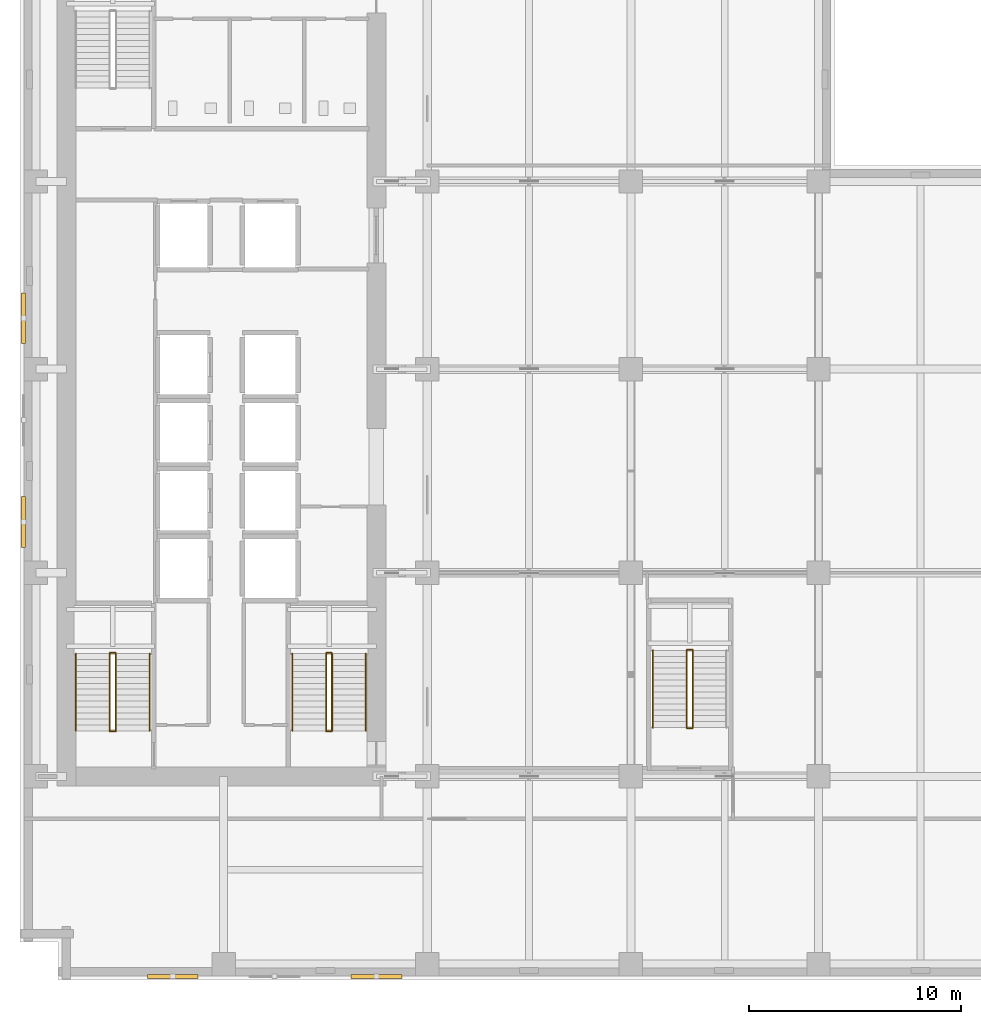
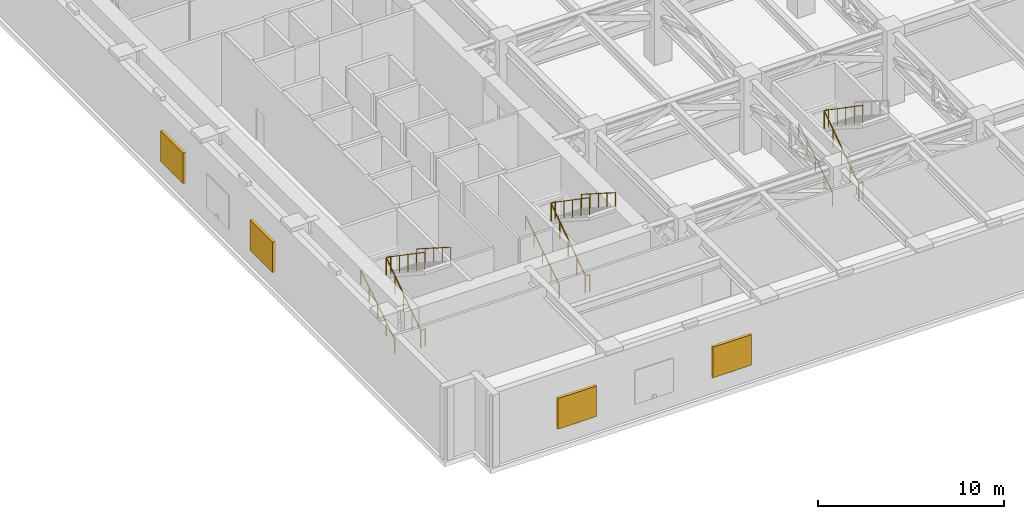
# One storey, part 19 of 22: 17 railings, 4 shading devices.
"""IFC4 building model written with IfcOpenShell, lengths in metres."""

import ifcopenshell
import ifcopenshell.guid

model = None  # the IFC model being written
_history = None  # IfcOwnerHistory: only IFC2X3 demands one
_inside = {}  # id of a spatial element -> (the spatial element, [elements in it])
_under = {}  # id of a project, library or spatial element -> (it, [spatial elements below it])
_declared = {}  # id of a project -> (the project, [libraries it declares])
_typed = {}  # id of a type object -> (the type object, [elements of that type])
_made_of = {}  # id of a material, layer set ... -> (it, [elements and type objects made of it])


def new_model(schema):
    """Start an empty IFC model of exactly this schema.

    Asked for "IFC4X3", IfcOpenShell would pick the latest addendum, in which some entities
    have other attributes; the version numbers below select the first issue.
    IFC2X3 requires an IfcOwnerHistory on every rooted entity: one is made here for all.
    """
    global model, _history
    if schema == "IFC4X3":
        model = ifcopenshell.file(schema_version=(4, 3, 0, 0))
    else:
        model = ifcopenshell.file(schema=schema)
    _inside.clear()
    _under.clear()
    _declared.clear()
    _typed.clear()
    _made_of.clear()
    _history = None
    if model.schema == "IFC2X3":
        org = make("IfcOrganization", Name="unknown")
        user = make(
            "IfcPersonAndOrganization",
            ThePerson=make("IfcPerson", FamilyName="unknown"),
            TheOrganization=org,
        )
        app = make(
            "IfcApplication",
            ApplicationDeveloper=org,
            Version="unknown",
            ApplicationFullName="unknown",
            ApplicationIdentifier="unknown",
        )
        _history = make(
            "IfcOwnerHistory",
            OwningUser=user,
            OwningApplication=app,
            ChangeAction="ADDED",
            CreationDate=0,
        )
    return model


def make(cls, **values):
    """One entity of the class cls with the attributes given. An attribute that is None is left unset."""
    return model.create_entity(
        cls, **{name: value for name, value in values.items() if value is not None}
    )


def rooted(cls, **values):
    """An entity with a GlobalId (a new one), such as an element, a storey or a relation."""
    return make(cls, GlobalId=ifcopenshell.guid.new(), OwnerHistory=_history, **values)


def si_unit(unit_type, name, prefix=None):
    """IfcSIUnit, for example si_unit("LENGTHUNIT", "METRE", prefix="MILLI")."""
    return make("IfcSIUnit", UnitType=unit_type, Prefix=prefix, Name=name)


def assignment(units):
    """IfcUnitAssignment: the units of a project."""
    return None if units is None else make("IfcUnitAssignment", Units=units)


def point(xyz):
    """IfcCartesianPoint."""
    return None if xyz is None else make("IfcCartesianPoint", Coordinates=xyz)


def direction(xyz):
    """IfcDirection."""
    return None if xyz is None else make("IfcDirection", DirectionRatios=xyz)


def frame(location, z_axis=None, x_axis=None):
    """IfcAxis2Placement3D, a coordinate frame: its origin and axes. An axis left out is left unset."""
    return make(
        "IfcAxis2Placement3D",
        Location=point(location),
        Axis=direction(z_axis),
        RefDirection=direction(x_axis),
    )


def frame_2d(location, x_axis=None):
    """IfcAxis2Placement2D, a coordinate frame in the plane: its origin and x axis."""
    return make(
        "IfcAxis2Placement2D", Location=point(location), RefDirection=direction(x_axis)
    )


def origin():
    """The frame at (0, 0, 0) with its axes left unset."""
    return frame((0.0, 0.0, 0.0))


def origin_2d():
    """The frame at (0, 0) in the plane with its x axis left unset."""
    return frame_2d((0.0, 0.0))


def place(relative_to, where):
    """IfcLocalPlacement: puts the frame where relative to a parent placement (None: the world)."""
    return make(
        "IfcLocalPlacement", PlacementRelTo=relative_to, RelativePlacement=where
    )


def context(
    kind, dimensions, precision=None, world=None, true_north=None, identifier=None
):
    """IfcGeometricRepresentationContext, for example the 3D "Model" context."""
    return make(
        "IfcGeometricRepresentationContext",
        ContextIdentifier=identifier,
        ContextType=kind,
        CoordinateSpaceDimension=dimensions,
        Precision=precision,
        WorldCoordinateSystem=world,
        TrueNorth=true_north,
    )


def subcontext(parent, identifier, kind, view, scale=None):
    """IfcGeometricRepresentationSubContext, for example "Body" below "Model"."""
    return make(
        "IfcGeometricRepresentationSubContext",
        ContextIdentifier=identifier,
        ContextType=kind,
        ParentContext=parent,
        TargetScale=scale,
        TargetView=view,
    )


def project(units=None, contexts=None):
    """IfcProject with its units and contexts."""
    return rooted(
        "IfcProject",
        Name="project",
        RepresentationContexts=contexts,
        UnitsInContext=assignment(units),
    )


def spatial(cls, under=None, at=None, **own):
    """A site, building, storey or space (cls), placed at a placement, below another one or the project."""
    s = rooted(cls, ObjectPlacement=at, **own)
    if under is not None:
        _under.setdefault(under.id(), (under, []))[1].append(s)
    return s


def profile(cls, at=None, kind="AREA", **sizes):
    """A parametric profile (cls). Its sizes go by their IFC names, for example OverallWidth=200.0."""
    return make(cls, ProfileType=kind, Position=at, **sizes)


def rectangle(**sizes):
    """IfcRectangleProfileDef."""
    return profile("IfcRectangleProfileDef", **sizes)


def circle(**sizes):
    """IfcCircleProfileDef."""
    return profile("IfcCircleProfileDef", **sizes)


def extrude(swept, where, along, depth):
    """IfcExtrudedAreaSolid: the profile swept, set in the frame where, extruded along a direction by depth."""
    return make(
        "IfcExtrudedAreaSolid",
        SweptArea=swept,
        Position=where,
        ExtrudedDirection=direction(along),
        Depth=depth,
    )


def shape(context_of_items, identifier, shape_type, items):
    """IfcShapeRepresentation: the items that make up one representation, for example the "Body"."""
    return make(
        "IfcShapeRepresentation",
        ContextOfItems=context_of_items,
        RepresentationIdentifier=identifier,
        RepresentationType=shape_type,
        Items=items,
    )


def material(Name=None, Category=None):
    """IfcMaterial."""
    return make("IfcMaterial", Name=Name, Category=Category)


def layer(
    of_material, thickness, ventilated=None, Name=None, Category=None, Priority=None
):
    """IfcMaterialLayer: one layer of a wall or slab, of a material (None: an air gap)."""
    return make(
        "IfcMaterialLayer",
        Material=of_material,
        LayerThickness=thickness,
        IsVentilated=ventilated,
        Name=Name,
        Category=Category,
        Priority=Priority,
    )


def layer_set(layers, Name=None):
    """IfcMaterialLayerSet."""
    return make("IfcMaterialLayerSet", MaterialLayers=layers, LayerSetName=Name)


def made_of(thing, what):
    """Note that an element or type object is made of a material, layer set ...; save() writes the relation."""
    if what is not None:
        _made_of.setdefault(what.id(), (what, []))[1].append(thing)
    return thing


def type_object(cls, material=None, **own):
    """A type object (cls), such as IfcWallType, which elements share."""
    return made_of(rooted(cls, **own), material)


def element(
    cls,
    number,
    at=None,
    inside=None,
    cuts=None,
    type_object=None,
    material=None,
    context=None,
    identifier="Body",
    shape_type=None,
    held_by="IfcProductDefinitionShape",
    body=None,
    shapes=None,
    **own,
):
    """One element of the class cls, such as IfcWall. Its Tag is "e" and its number.

    at: its placement. inside: the storey or other place that contains it. cuts: it is an
    opening in that element (IfcRelVoidsElement). A single representation is given by context,
    identifier, shape_type and body (its items); several are given by shapes. held_by: the class
    of the entity that holds the representations. save() writes the other relations.
    """
    e = rooted(cls, Tag="e%d" % number, ObjectPlacement=at, **own)
    if body is not None:
        shapes = [shape(context, identifier, shape_type, body)]
    if shapes is not None:
        e.Representation = make(held_by, Representations=shapes)
    if inside is not None:
        _inside.setdefault(inside.id(), (inside, []))[1].append(e)
    if cuts is not None:
        rooted(
            "IfcRelVoidsElement", RelatingBuildingElement=cuts, RelatedOpeningElement=e
        )
    if type_object is not None:
        _typed.setdefault(type_object.id(), (type_object, []))[1].append(e)
    return made_of(e, material)


def aggregate(whole, parts):
    """IfcRelAggregates: a whole, such as a stair, and the parts it consists of."""
    return rooted("IfcRelAggregates", RelatingObject=whole, RelatedObjects=parts)


def save(model, path):
    """Write the relations noted so far, then the file.

    IfcRelAggregates (storeys below a building ...), IfcRelContainedInSpatialStructure (elements
    in a storey), IfcRelDefinesByType, IfcRelAssociatesMaterial and IfcRelDeclares: one each for
    every whole, place, type object, material and project.
    """
    for whole, parts in _under.values():
        aggregate(whole, parts)
    for where, things in _inside.values():
        rooted(
            "IfcRelContainedInSpatialStructure",
            RelatedElements=things,
            RelatingStructure=where,
        )
    for kind, things in _typed.values():
        rooted("IfcRelDefinesByType", RelatedObjects=things, RelatingType=kind)
    for what, things in _made_of.values():
        rooted("IfcRelAssociatesMaterial", RelatedObjects=things, RelatingMaterial=what)
    for by, libraries in _declared.values():
        rooted("IfcRelDeclares", RelatingContext=by, RelatedDefinitions=libraries)
    model.write(path)


model = new_model("IFC4")

# Units and contexts
model_context = context("Model", 3, precision=1e-05, world=origin(), true_north=direction((0.0, 1.0)))
body_context = subcontext(model_context, "Body", "Model", "MODEL_VIEW")
ifc_project = project(units=[si_unit("LENGTHUNIT", "METRE"), si_unit("AREAUNIT", "SQUARE_METRE"), si_unit("VOLUMEUNIT", "CUBIC_METRE"), si_unit("PLANEANGLEUNIT", "RADIAN"), si_unit("MASSUNIT", "GRAM", prefix="KILO")], contexts=[model_context])

# Site, building, storey
site_placement = place(None, origin())
site = spatial("IfcSite", under=ifc_project, at=site_placement, CompositionType="ELEMENT")
building_placement = place(site_placement, origin())
building = spatial("IfcBuilding", under=site, at=building_placement, Name="Norrvale University Quadrangle", CompositionType="ELEMENT")
storey_placement = place(building_placement, frame((0.0, 0.0, 96.39990234375)))
storey = spatial("IfcBuildingStorey", under=building, at=storey_placement, Name="L24", CompositionType="ELEMENT", Elevation=96.39990234375)

# Railings
ifc_material_1 = material(Name="Steel 350W Painted Balustrade", Category="steel")
railing_type_1 = type_object("IfcRailingType", Name="Railing Stair Guard 1100", PredefinedType="GUARDRAIL", material=ifc_material_1)
for number, where, name in (
    (1, (4.239990234375, 11.719970703125, 0.0), "Stair Floor Well Guard ST-01 L24"),
    (2, (4.239990234375, 15.419921875, 2.5), "Stair Mid-Landing Slot Guard ST-01 L24"),
):
    element("IfcRailing", number, at=place(storey_placement, frame(where)), inside=storey, type_object=railing_type_1, Name=name, PredefinedType="GUARDRAIL", context=body_context, shape_type="SweptSolid", body=[
        extrude(circle(Radius=0.02392578125, at=origin_2d()), frame((0.0, 0.0, 1.1259765625), z_axis=(1.0, 0.0, 0.0), x_axis=(0.0, 1.0, 0.0)), (0.0, 0.0, 1.0), 0.27001953125),
        extrude(circle(Radius=0.02099609375, at=origin_2d()), origin(), (0.0, 0.0, 1.0), 1.101806640625),
        extrude(circle(Radius=0.02099609375, at=origin_2d()), frame((0.27001953125, 0.0, 0.0)), (0.0, 0.0, 1.0), 1.101806640625),
    ])
railing_1_placement = place(storey_placement, frame((4.239990234375, 11.75, 0.0)))
element("IfcRailing", 3, at=railing_1_placement, inside=storey, type_object=railing_type_1, Name="Stair Lower Flight Inner Guard ST-01 L24", PredefinedType="GUARDRAIL", context=body_context, shape_type="SweptSolid", body=[
    extrude(circle(Radius=0.02392578125, at=origin_2d()), frame((0.0, 0.0, 1.1259765625), z_axis=(0.0, 0.824298337968, 0.566155676491), x_axis=(-1.0, 0.0, 0.0)), (0.0, 0.0, 1.0), 4.415771484375),
    extrude(circle(Radius=0.02099609375, at=origin_2d()), origin(), (0.0, 0.0, 1.0), 1.101806640625),
    extrude(circle(Radius=0.02099609375, at=origin_2d()), frame((0.0, 0.909912109375, 0.625)), (0.0, 0.0, 1.0), 1.101806640625),
    extrude(circle(Radius=0.02099609375, at=origin_2d()), frame((0.0, 1.81982421875, 1.25)), (0.0, 0.0, 1.0), 1.101806640625),
    extrude(circle(Radius=0.02099609375, at=origin_2d()), frame((0.0, 2.72998046875, 1.875)), (0.0, 0.0, 1.0), 1.101806640625),
    extrude(circle(Radius=0.02099609375, at=origin_2d()), frame((0.0, 3.639892578125, 2.5)), (0.0, 0.0, 1.0), 1.101806640625),
])
railing_2_placement = place(storey_placement, frame((4.510009765625, 15.389892578125, 2.5)))
element("IfcRailing", 4, at=railing_2_placement, inside=storey, type_object=railing_type_1, Name="Stair Upper Flight Inner Guard ST-01 L24", PredefinedType="GUARDRAIL", context=body_context, shape_type="SweptSolid", body=[
    extrude(circle(Radius=0.02392578125, at=origin_2d()), frame((0.0, 0.0, 1.1259765625), z_axis=(0.0, -0.824298337968, 0.566155676491), x_axis=(1.0, 0.0, 0.0)), (0.0, 0.0, 1.0), 4.415771484375),
    extrude(circle(Radius=0.02099609375, at=origin_2d()), origin(), (0.0, 0.0, 1.0), 1.101806640625),
    extrude(circle(Radius=0.02099609375, at=origin_2d()), frame((0.0, -0.909912109375, 0.625)), (0.0, 0.0, 1.0), 1.101806640625),
    extrude(circle(Radius=0.02099609375, at=origin_2d()), frame((0.0, -1.81982421875, 1.25)), (0.0, 0.0, 1.0), 1.101806640625),
    extrude(circle(Radius=0.02099609375, at=origin_2d()), frame((0.0, -2.72998046875, 1.875)), (0.0, 0.0, 1.0), 1.101806640625),
    extrude(circle(Radius=0.02099609375, at=origin_2d()), frame((0.0, -3.639892578125, 2.5)), (0.0, 0.0, 1.0), 1.101806640625),
])
for number, where, name in (
    (5, (14.43994140625, 11.719970703125, 0.0), "Stair Floor Well Guard ST-03 L24"),
    (6, (14.43994140625, 15.419921875, 2.5), "Stair Mid-Landing Slot Guard ST-03 L24"),
):
    element("IfcRailing", number, at=place(storey_placement, frame(where)), inside=storey, type_object=railing_type_1, Name=name, PredefinedType="GUARDRAIL", context=body_context, shape_type="SweptSolid", body=[
        extrude(circle(Radius=0.02392578125, at=origin_2d()), frame((0.0, 0.0, 1.1259765625), z_axis=(1.0, 0.0, 0.0), x_axis=(0.0, 1.0, 0.0)), (0.0, 0.0, 1.0), 0.27001953125),
        extrude(circle(Radius=0.02099609375, at=origin_2d()), origin(), (0.0, 0.0, 1.0), 1.101806640625),
        extrude(circle(Radius=0.02099609375, at=origin_2d()), frame((0.27001953125, 0.0, 0.0)), (0.0, 0.0, 1.0), 1.101806640625),
    ])
railing_3_placement = place(storey_placement, frame((14.43994140625, 11.75, 0.0)))
element("IfcRailing", 7, at=railing_3_placement, inside=storey, type_object=railing_type_1, Name="Stair Lower Flight Inner Guard ST-03 L24", PredefinedType="GUARDRAIL", context=body_context, shape_type="SweptSolid", body=[
    extrude(circle(Radius=0.02392578125, at=origin_2d()), frame((0.0, 0.0, 1.1259765625), z_axis=(0.0, 0.824298337968, 0.566155676491), x_axis=(-1.0, 0.0, 0.0)), (0.0, 0.0, 1.0), 4.415771484375),
    extrude(circle(Radius=0.02099609375, at=origin_2d()), origin(), (0.0, 0.0, 1.0), 1.101806640625),
    extrude(circle(Radius=0.02099609375, at=origin_2d()), frame((0.0, 0.909912109375, 0.625)), (0.0, 0.0, 1.0), 1.101806640625),
    extrude(circle(Radius=0.02099609375, at=origin_2d()), frame((0.0, 1.81982421875, 1.25)), (0.0, 0.0, 1.0), 1.101806640625),
    extrude(circle(Radius=0.02099609375, at=origin_2d()), frame((0.0, 2.72998046875, 1.875)), (0.0, 0.0, 1.0), 1.101806640625),
    extrude(circle(Radius=0.02099609375, at=origin_2d()), frame((0.0, 3.639892578125, 2.5)), (0.0, 0.0, 1.0), 1.101806640625),
])
railing_4_placement = place(storey_placement, frame((14.7099609375, 15.389892578125, 2.5)))
element("IfcRailing", 8, at=railing_4_placement, inside=storey, type_object=railing_type_1, Name="Stair Upper Flight Inner Guard ST-03 L24", PredefinedType="GUARDRAIL", context=body_context, shape_type="SweptSolid", body=[
    extrude(circle(Radius=0.02392578125, at=origin_2d()), frame((0.0, 0.0, 1.1259765625), z_axis=(0.0, -0.824298337968, 0.566155676491), x_axis=(1.0, 0.0, 0.0)), (0.0, 0.0, 1.0), 4.415771484375),
    extrude(circle(Radius=0.02099609375, at=origin_2d()), origin(), (0.0, 0.0, 1.0), 1.101806640625),
    extrude(circle(Radius=0.02099609375, at=origin_2d()), frame((0.0, -0.909912109375, 0.625)), (0.0, 0.0, 1.0), 1.101806640625),
    extrude(circle(Radius=0.02099609375, at=origin_2d()), frame((0.0, -1.81982421875, 1.25)), (0.0, 0.0, 1.0), 1.101806640625),
    extrude(circle(Radius=0.02099609375, at=origin_2d()), frame((0.0, -2.72998046875, 1.875)), (0.0, 0.0, 1.0), 1.101806640625),
    extrude(circle(Radius=0.02099609375, at=origin_2d()), frame((0.0, -3.639892578125, 2.5)), (0.0, 0.0, 1.0), 1.101806640625),
])
for number, where, name in (
    (9, (31.43994140625, 11.8701171875, 0.0), "Stair Floor Well Guard ST-04 L24"),
    (10, (31.43994140625, 15.570068359375, 2.5), "Stair Mid-Landing Slot Guard ST-04 L24"),
):
    element("IfcRailing", number, at=place(storey_placement, frame(where)), inside=storey, type_object=railing_type_1, Name=name, PredefinedType="GUARDRAIL", context=body_context, shape_type="SweptSolid", body=[
        extrude(circle(Radius=0.02392578125, at=origin_2d()), frame((0.0, 0.0, 1.1259765625), z_axis=(1.0, 0.0, 0.0), x_axis=(0.0, 1.0, 0.0)), (0.0, 0.0, 1.0), 0.27001953125),
        extrude(circle(Radius=0.02099609375, at=origin_2d()), origin(), (0.0, 0.0, 1.0), 1.101806640625),
        extrude(circle(Radius=0.02099609375, at=origin_2d()), frame((0.27001953125, 0.0, 0.0)), (0.0, 0.0, 1.0), 1.101806640625),
    ])
railing_5_placement = place(storey_placement, frame((31.43994140625, 11.89990234375, 0.0)))
element("IfcRailing", 11, at=railing_5_placement, inside=storey, type_object=railing_type_1, Name="Stair Lower Flight Inner Guard ST-04 L24", PredefinedType="GUARDRAIL", context=body_context, shape_type="SweptSolid", body=[
    extrude(circle(Radius=0.02392578125, at=origin_2d()), frame((0.0, 0.0, 1.1259765625), z_axis=(0.0, 0.824316058549, 0.566129875221), x_axis=(-1.0, 0.0, 0.0)), (0.0, 0.0, 1.0), 4.416015625),
    extrude(circle(Radius=0.02099609375, at=origin_2d()), origin(), (0.0, 0.0, 1.0), 1.101806640625),
    extrude(circle(Radius=0.02099609375, at=origin_2d()), frame((0.0, 0.91015625, 0.625)), (0.0, 0.0, 1.0), 1.101806640625),
    extrude(circle(Radius=0.02099609375, at=origin_2d()), frame((0.0, 1.820068359375, 1.25)), (0.0, 0.0, 1.0), 1.101806640625),
    extrude(circle(Radius=0.02099609375, at=origin_2d()), frame((0.0, 2.72998046875, 1.875)), (0.0, 0.0, 1.0), 1.101806640625),
    extrude(circle(Radius=0.02099609375, at=origin_2d()), frame((0.0, 3.64013671875, 2.5)), (0.0, 0.0, 1.0), 1.101806640625),
])
railing_6_placement = place(storey_placement, frame((31.7099609375, 15.5400390625, 2.5)))
element("IfcRailing", 12, at=railing_6_placement, inside=storey, type_object=railing_type_1, Name="Stair Upper Flight Inner Guard ST-04 L24", PredefinedType="GUARDRAIL", context=body_context, shape_type="SweptSolid", body=[
    extrude(circle(Radius=0.02392578125, at=origin_2d()), frame((0.0, 0.0, 1.1259765625), z_axis=(0.0, -0.824316058549, 0.566129875221), x_axis=(1.0, 0.0, 0.0)), (0.0, 0.0, 1.0), 4.416015625),
    extrude(circle(Radius=0.02099609375, at=origin_2d()), origin(), (0.0, 0.0, 1.0), 1.101806640625),
    extrude(circle(Radius=0.02099609375, at=origin_2d()), frame((0.0, -0.91015625, 0.625)), (0.0, 0.0, 1.0), 1.101806640625),
    extrude(circle(Radius=0.02099609375, at=origin_2d()), frame((0.0, -1.820068359375, 1.25)), (0.0, 0.0, 1.0), 1.101806640625),
    extrude(circle(Radius=0.02099609375, at=origin_2d()), frame((0.0, -2.72998046875, 1.875)), (0.0, 0.0, 1.0), 1.101806640625),
    extrude(circle(Radius=0.02099609375, at=origin_2d()), frame((0.0, -3.64013671875, 2.5)), (0.0, 0.0, 1.0), 1.101806640625),
])
ifc_material_2 = material(Name="Stainless Steel 316L Handrail", Category="steel")
railing_type_2 = type_object("IfcRailingType", Name="Railing Stair Handrail 920", PredefinedType="HANDRAIL", material=ifc_material_2)
railing_7_placement = place(storey_placement, frame((2.639892578125, 11.75, 0.1787109375)))
element("IfcRailing", 13, at=railing_7_placement, inside=storey, type_object=railing_type_2, Name="Stair Lower Flight Handrail ST-01 L24", PredefinedType="HANDRAIL", context=body_context, shape_type="SweptSolid", body=[
    extrude(circle(Radius=0.02392578125, at=origin_2d()), frame((0.0, 0.0, 0.89599609375), z_axis=(0.0, 0.843137146238, 0.537698570422), x_axis=(-1.0, 0.0, 0.0)), (0.0, 0.0, 1.0), 4.317138671875),
    extrude(circle(Radius=0.02099609375, at=origin_2d()), origin(), (0.0, 0.0, 1.0), 0.871826171875),
    extrude(circle(Radius=0.02099609375, at=origin_2d()), frame((0.0, 0.909912109375, 0.580322265625)), (0.0, 0.0, 1.0), 0.871826171875),
    extrude(circle(Radius=0.02099609375, at=origin_2d()), frame((0.0, 1.81982421875, 1.16064453125)), (0.0, 0.0, 1.0), 0.871826171875),
    extrude(circle(Radius=0.02099609375, at=origin_2d()), frame((0.0, 2.72998046875, 1.740966796875)), (0.0, 0.0, 1.0), 0.871826171875),
    extrude(circle(Radius=0.02099609375, at=origin_2d()), frame((0.0, 3.639892578125, 2.3212890625)), (0.0, 0.0, 1.0), 0.871826171875),
])
railing_8_placement = place(storey_placement, frame((6.110107421875, 15.389892578125, 2.6787109375)))
element("IfcRailing", 14, at=railing_8_placement, inside=storey, type_object=railing_type_2, Name="Stair Upper Flight Handrail ST-01 L24", PredefinedType="HANDRAIL", context=body_context, shape_type="SweptSolid", body=[
    extrude(circle(Radius=0.02392578125, at=origin_2d()), frame((0.0, 0.0, 0.89599609375), z_axis=(0.0, -0.843137146238, 0.537698570422), x_axis=(1.0, 0.0, 0.0)), (0.0, 0.0, 1.0), 4.317138671875),
    extrude(circle(Radius=0.02099609375, at=origin_2d()), origin(), (0.0, 0.0, 1.0), 0.871826171875),
    extrude(circle(Radius=0.02099609375, at=origin_2d()), frame((0.0, -0.909912109375, 0.580322265625)), (0.0, 0.0, 1.0), 0.871826171875),
    extrude(circle(Radius=0.02099609375, at=origin_2d()), frame((0.0, -1.81982421875, 1.16064453125)), (0.0, 0.0, 1.0), 0.871826171875),
    extrude(circle(Radius=0.02099609375, at=origin_2d()), frame((0.0, -2.72998046875, 1.740966796875)), (0.0, 0.0, 1.0), 0.871826171875),
    extrude(circle(Radius=0.02099609375, at=origin_2d()), frame((0.0, -3.639892578125, 2.3212890625)), (0.0, 0.0, 1.0), 0.871826171875),
])
railing_9_placement = place(storey_placement, frame((12.840087890625, 11.75, 0.1787109375)))
element("IfcRailing", 15, at=railing_9_placement, inside=storey, type_object=railing_type_2, Name="Stair Lower Flight Handrail ST-03 L24", PredefinedType="HANDRAIL", context=body_context, shape_type="SweptSolid", body=[
    extrude(circle(Radius=0.02392578125, at=origin_2d()), frame((0.0, 0.0, 0.89599609375), z_axis=(0.0, 0.843137146238, 0.537698570422), x_axis=(-1.0, 0.0, 0.0)), (0.0, 0.0, 1.0), 4.317138671875),
    extrude(circle(Radius=0.02099609375, at=origin_2d()), origin(), (0.0, 0.0, 1.0), 0.871826171875),
    extrude(circle(Radius=0.02099609375, at=origin_2d()), frame((0.0, 0.909912109375, 0.580322265625)), (0.0, 0.0, 1.0), 0.871826171875),
    extrude(circle(Radius=0.02099609375, at=origin_2d()), frame((0.0, 1.81982421875, 1.16064453125)), (0.0, 0.0, 1.0), 0.871826171875),
    extrude(circle(Radius=0.02099609375, at=origin_2d()), frame((0.0, 2.72998046875, 1.740966796875)), (0.0, 0.0, 1.0), 0.871826171875),
    extrude(circle(Radius=0.02099609375, at=origin_2d()), frame((0.0, 3.639892578125, 2.3212890625)), (0.0, 0.0, 1.0), 0.871826171875),
])
railing_10_placement = place(storey_placement, frame((16.31005859375, 15.389892578125, 2.6787109375)))
element("IfcRailing", 16, at=railing_10_placement, inside=storey, type_object=railing_type_2, Name="Stair Upper Flight Handrail ST-03 L24", PredefinedType="HANDRAIL", context=body_context, shape_type="SweptSolid", body=[
    extrude(circle(Radius=0.02392578125, at=origin_2d()), frame((0.0, 0.0, 0.89599609375), z_axis=(0.0, -0.843137146238, 0.537698570422), x_axis=(1.0, 0.0, 0.0)), (0.0, 0.0, 1.0), 4.317138671875),
    extrude(circle(Radius=0.02099609375, at=origin_2d()), origin(), (0.0, 0.0, 1.0), 0.871826171875),
    extrude(circle(Radius=0.02099609375, at=origin_2d()), frame((0.0, -0.909912109375, 0.580322265625)), (0.0, 0.0, 1.0), 0.871826171875),
    extrude(circle(Radius=0.02099609375, at=origin_2d()), frame((0.0, -1.81982421875, 1.16064453125)), (0.0, 0.0, 1.0), 0.871826171875),
    extrude(circle(Radius=0.02099609375, at=origin_2d()), frame((0.0, -2.72998046875, 1.740966796875)), (0.0, 0.0, 1.0), 0.871826171875),
    extrude(circle(Radius=0.02099609375, at=origin_2d()), frame((0.0, -3.639892578125, 2.3212890625)), (0.0, 0.0, 1.0), 0.871826171875),
])
railing_11_placement = place(storey_placement, frame((29.840087890625, 11.89990234375, 0.1787109375)))
element("IfcRailing", 17, at=railing_11_placement, inside=storey, type_object=railing_type_2, Name="Stair Lower Flight Handrail ST-04 L24", PredefinedType="HANDRAIL", context=body_context, shape_type="SweptSolid", body=[
    extrude(circle(Radius=0.02392578125, at=origin_2d()), frame((0.0, 0.0, 0.89599609375), z_axis=(0.0, 0.843153495434, 0.537672933239), x_axis=(-1.0, 0.0, 0.0)), (0.0, 0.0, 1.0), 4.3173828125),
    extrude(circle(Radius=0.02099609375, at=origin_2d()), origin(), (0.0, 0.0, 1.0), 0.871826171875),
    extrude(circle(Radius=0.02099609375, at=origin_2d()), frame((0.0, 0.91015625, 0.580322265625)), (0.0, 0.0, 1.0), 0.871826171875),
    extrude(circle(Radius=0.02099609375, at=origin_2d()), frame((0.0, 1.820068359375, 1.16064453125)), (0.0, 0.0, 1.0), 0.871826171875),
    extrude(circle(Radius=0.02099609375, at=origin_2d()), frame((0.0, 2.72998046875, 1.740966796875)), (0.0, 0.0, 1.0), 0.871826171875),
    extrude(circle(Radius=0.02099609375, at=origin_2d()), frame((0.0, 3.64013671875, 2.3212890625)), (0.0, 0.0, 1.0), 0.871826171875),
])

# Shading devices
ifc_material_3 = material(Name="Anodized Aluminium 6063-T6", Category="aluminium")
ifc_layer = layer(ifc_material_3, 0.179931640625, Name="Anodized Aluminium 6063-T6")
ifc_layer_set = layer_set([ifc_layer], Name="Anodized Aluminium 6063-T6")
shading_device_type = type_object("IfcShadingDeviceType", Name="Shade Louvre 180", PredefinedType="JALOUSIE", material=ifc_layer_set)
for number, where, z_axis, x_axis, name in (
    (18, (7.199951171875, 0.159912109375, 1.10009765625), (0.0, 0.0, 1.0), (1.0, 0.0, 0.0), "Plant Intake Weather Louvre 001"),
    (19, (16.800048828125, 0.159912109375, 1.10009765625), (0.0, 0.0, 1.0), (1.0, 0.0, 0.0), "Plant Intake Weather Louvre 002"),
    (20, (0.159912109375, 31.199951171875, 1.10009765625), (0.0, 0.0, 1.0), (0.0, -1.0, 0.0), "Plant Intake Weather Louvre 006"),
    (21, (0.159912109375, 21.60009765625, 1.10009765625), (0.0, 0.0, 1.0), (0.0, -1.0, 0.0), "Plant Intake Weather Louvre 007"),
):
    element("IfcShadingDevice", number, at=place(storey_placement, frame(where, z_axis=z_axis, x_axis=x_axis)), inside=storey, type_object=shading_device_type, Name=name, PredefinedType="JALOUSIE", context=body_context, shape_type="SweptSolid", body=[
        extrude(rectangle(XDim=2.39990234375, YDim=0.179931640625, at=origin_2d()), origin(), (0.0, 0.0, 1.0), 2.0),
    ])

save(model, "model.ifc")
